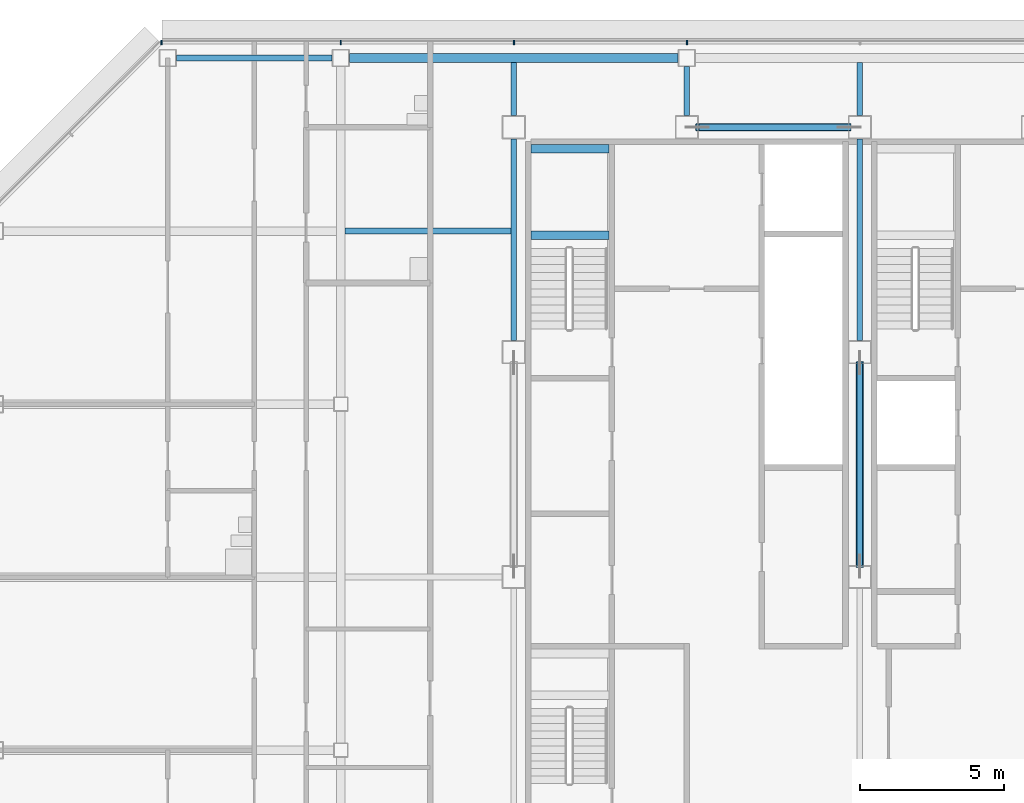
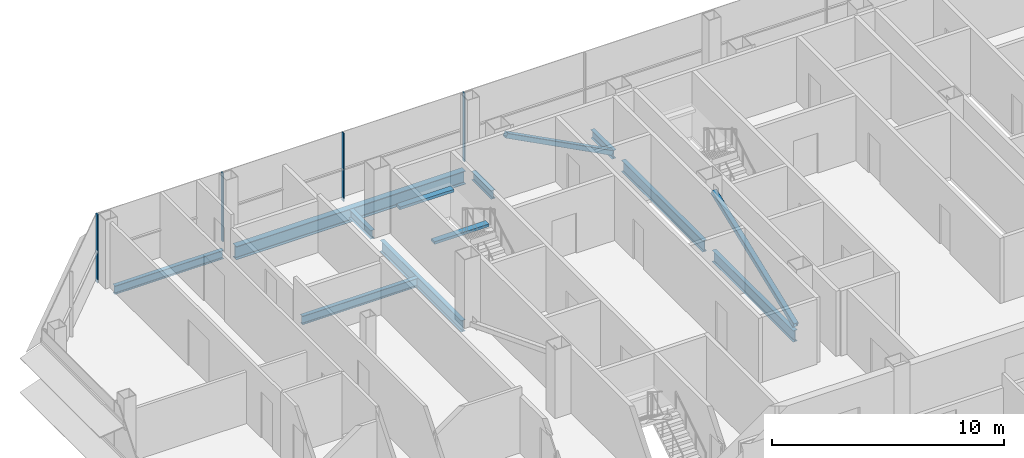
# One storey, part 13 of 28: 11 beams, 6 members, 1 element without a shape of its own.
"""IFC4 building model written with IfcOpenShell, lengths in metres."""

from ifc_helpers import new_model, si_unit, direction, frame, origin, origin_2d, place, context, subcontext, project, spatial, rectangle, hollow_rectangle, i_section, extrude, material, material_profile, profile_set, type_object, element, aggregate, save


model = new_model("IFC4")

# Units and contexts
model_context = context("Model", 3, precision=1e-05, world=origin(), true_north=direction((0.0, 1.0)))
body_context = subcontext(model_context, "Body", "Model", "MODEL_VIEW")
ifc_project = project(units=[si_unit("LENGTHUNIT", "METRE"), si_unit("AREAUNIT", "SQUARE_METRE"), si_unit("VOLUMEUNIT", "CUBIC_METRE"), si_unit("PLANEANGLEUNIT", "RADIAN"), si_unit("MASSUNIT", "GRAM", prefix="KILO")], contexts=[model_context])

# Site, building, storey
site_placement = place(None, origin())
site = spatial("IfcSite", under=ifc_project, at=site_placement, CompositionType="ELEMENT")
building_placement = place(site_placement, origin())
building = spatial("IfcBuilding", under=site, at=building_placement, Name="Sorahane Residences", CompositionType="ELEMENT")
storey_placement = place(building_placement, frame((0.0, 0.0, 273.800048828125)))
storey = spatial("IfcBuildingStorey", under=building, at=storey_placement, Name="L65", CompositionType="ELEMENT", Elevation=273.800048828125)

# Members
ifc_material_1 = material(Name="Steel Q355B", Category="steel")
ifc_material_profile_1 = material_profile(ifc_material_1, hollow_rectangle(XDim=0.25, YDim=0.25, WallThickness=0.013916015625, InnerFilletRadius=0.007080078125, OuterFilletRadius=0.02099609375, at=origin_2d()), Name="RHS 250x250x14")
ifc_profile_set_1 = profile_set([ifc_material_profile_1], Name="Steel Q355B")
member_type_1 = type_object("IfcMemberType", Name="Core brace RHS 250x250x14 Q355B", PredefinedType="BRACE", material=ifc_profile_set_1)
member_1_placement = place(storey_placement, frame((17.634765625, 45.60009765625, 0.106689453125), z_axis=(-0.886099769192, 0.0, 0.46349455125), x_axis=(0.0, -1.0, 0.0)))
element("IfcMember", 1, at=member_1_placement, inside=storey, type_object=member_type_1, Name="Core brace L65 y45.6-2", PredefinedType="BRACE", context=body_context, shape_type="SweptSolid", body=[
    extrude(hollow_rectangle(XDim=0.25, YDim=0.25, WallThickness=0.013916015625, InnerFilletRadius=0.007080078125, OuterFilletRadius=0.02099609375, at=origin_2d()), origin(), (0.0, 0.0, 1.0), 5.94677734375),
])
member_2_placement = place(storey_placement, frame((18.0, 30.372802734375, 0.114501953125), z_axis=(0.0, 0.932112994653, 0.362167592697), x_axis=(-1.0, 0.0, 0.0)))
element("IfcMember", 2, at=member_2_placement, inside=storey, type_object=member_type_1, Name="Core brace L65 x18-1", PredefinedType="BRACE", context=body_context, shape_type="SweptSolid", body=[
    extrude(hollow_rectangle(XDim=0.25, YDim=0.25, WallThickness=0.013916015625, InnerFilletRadius=0.007080078125, OuterFilletRadius=0.02099609375, at=origin_2d()), origin(), (0.0, 0.0, 1.0), 7.568115234375),
])

# Curtain wall, members
ifc_material_2 = material(Name="Dark low-e glass and black anodised aluminium", Category="aluminium")
curtain_wall_type = type_object("IfcCurtainWallType", Name="Curtain wall CW-1 Typical unitised wall", PredefinedType="NOTDEFINED", material=ifc_material_2)
curtain_wall_placement = place(storey_placement, origin())
curtain_wall = element("IfcCurtainWall", 3, at=curtain_wall_placement, inside=storey, type_object=curtain_wall_type, Name="CW-1 curtain wall L65 N1", PredefinedType="NOTDEFINED")
ifc_material_3 = material(Name="Black anodised aluminium", Category="aluminium")
ifc_material_profile_2 = material_profile(ifc_material_3, rectangle(XDim=0.159912109375, YDim=0.050048828125, at=origin_2d()), Name="Curtain wall mullion CW-1 black anodised aluminium 50x160")
ifc_profile_set_2 = profile_set([ifc_material_profile_2], Name="Black anodised aluminium")
member_type_2 = type_object("IfcMemberType", Name="Curtain wall mullion CW-1 black anodised aluminium 50x160", PredefinedType="MULLION", material=ifc_profile_set_2)
member_3_placement = place(storey_placement, frame((12.0, 48.5400390625, -0.179931640625), z_axis=(0.0, 0.0, 1.0), x_axis=(0.0, 1.0, 0.0)))
member_3 = element("IfcMember", 4, at=member_3_placement, type_object=member_type_2, Name="CW-1 mullion L65 N1.7", PredefinedType="MULLION", context=body_context, shape_type="SweptSolid", body=[
    extrude(rectangle(XDim=0.159912109375, YDim=0.050048828125, at=origin_2d()), origin(), (0.0, 0.0, 1.0), 3.599853515625),
])
member_4_placement = place(storey_placement, frame((6.0, 48.5400390625, -0.179931640625), z_axis=(0.0, 0.0, 1.0), x_axis=(0.0, 1.0, 0.0)))
member_4 = element("IfcMember", 5, at=member_4_placement, type_object=member_type_2, Name="CW-1 mullion L65 N1.8", PredefinedType="MULLION", context=body_context, shape_type="SweptSolid", body=[
    extrude(rectangle(XDim=0.159912109375, YDim=0.050048828125, at=origin_2d()), origin(), (0.0, 0.0, 1.0), 3.599853515625),
])
member_5_placement = place(storey_placement, frame((0.0, 48.5400390625, -0.179931640625), z_axis=(0.0, 0.0, 1.0), x_axis=(0.0, 1.0, 0.0)))
member_5 = element("IfcMember", 6, at=member_5_placement, type_object=member_type_2, Name="CW-1 mullion L65 N1.9", PredefinedType="MULLION", context=body_context, shape_type="SweptSolid", body=[
    extrude(rectangle(XDim=0.159912109375, YDim=0.050048828125, at=origin_2d()), origin(), (0.0, 0.0, 1.0), 3.599853515625),
])
member_6_placement = place(storey_placement, frame((-6.2236328125, 48.5400390625, -0.179931640625), z_axis=(0.0, 0.0, 1.0), x_axis=(0.0, 1.0, 0.0)))
member_6 = element("IfcMember", 7, at=member_6_placement, type_object=member_type_2, Name="CW-1 mullion L65 N1.10", PredefinedType="MULLION", context=body_context, shape_type="SweptSolid", body=[
    extrude(rectangle(XDim=0.159912109375, YDim=0.050048828125, at=origin_2d()), origin(), (0.0, 0.0, 1.0), 3.599853515625),
])
aggregate(curtain_wall, [member_3, member_4, member_5, member_6])

# Beams
ifc_material_4 = material(Name="Concrete C40", Category="concrete")
ifc_material_profile_3 = material_profile(ifc_material_4, rectangle(XDim=0.300048828125, YDim=0.139892578125, at=origin_2d()), Name="300x140")
ifc_profile_set_3 = profile_set([ifc_material_profile_3], Name="Concrete C40")
beam_type_1 = type_object("IfcBeamType", Name="RC landing beam 300 x 140 Concrete C40", PredefinedType="BEAM", material=ifc_profile_set_3)
for number, where, z_axis, x_axis, name in (
    (8, (6.60009765625, 41.85009765625, 1.530029296875), (1.0, 0.0, 0.0), (0.0, 1.0, 0.0), "Landing beam"),
    (9, (6.60009765625, 44.85009765625, 1.530029296875), (1.0, 0.0, 0.0), (0.0, 1.0, 0.0), "Landing beam"),
):
    element("IfcBeam", number, at=place(storey_placement, frame(where, z_axis=z_axis, x_axis=x_axis)), inside=storey, type_object=beam_type_1, Name=name, PredefinedType="BEAM", context=body_context, shape_type="SweptSolid", body=[
        extrude(rectangle(XDim=0.300048828125, YDim=0.139892578125, at=origin_2d()), origin(), (0.0, 0.0, 1.0), 2.699951171875),
    ])
ifc_material_5 = material(Name="Steel Q355B", Category="steel")
ifc_material_profile_4 = material_profile(ifc_material_5, i_section(OverallWidth=0.199951171875, OverallDepth=0.449951171875, WebThickness=0.009033203125, FlangeThickness=0.013916015625, FilletRadius=0.02001953125, at=origin_2d()), Name="HN 450x200x9x14")
ifc_profile_set_4 = profile_set([ifc_material_profile_4], Name="Steel Q355B")
beam_type_2 = type_object("IfcBeamType", Name="Steel floor beam HN 450x200x9x14 Q355B", PredefinedType="BEAM", material=ifc_profile_set_4)
beam_1_placement = place(storey_placement, frame((-5.699951171875, 48.0, -0.405029296875), z_axis=(1.0, 0.0, 0.0), x_axis=(0.0, 1.0, 0.0)))
element("IfcBeam", 10, at=beam_1_placement, inside=storey, type_object=beam_type_2, Name="Beam L65 015", PredefinedType="BEAM", context=body_context, shape_type="SweptSolid", body=[
    extrude(i_section(OverallWidth=0.199951171875, OverallDepth=0.449951171875, WebThickness=0.009033203125, FlangeThickness=0.013916015625, FilletRadius=0.02001953125, at=origin_2d()), origin(), (0.0, 0.0, 1.0), 5.39990234375),
])
beam_2_placement = place(storey_placement, frame((6.0, 46.0, -0.405029296875), z_axis=(0.0, 1.0, 0.0), x_axis=(-1.0, 0.0, 0.0)))
element("IfcBeam", 11, at=beam_2_placement, inside=storey, type_object=beam_type_2, Name="Beam L65 033", PredefinedType="BEAM", context=body_context, shape_type="SweptSolid", body=[
    extrude(i_section(OverallWidth=0.199951171875, OverallDepth=0.449951171875, WebThickness=0.009033203125, FlangeThickness=0.013916015625, FilletRadius=0.02001953125, at=origin_2d()), origin(), (0.0, 0.0, 1.0), 1.85009765625),
])
beam_3_placement = place(storey_placement, frame((12.0, 46.0, -0.405029296875), z_axis=(0.0, 1.0, 0.0), x_axis=(-1.0, 0.0, 0.0)))
element("IfcBeam", 12, at=beam_3_placement, inside=storey, type_object=beam_type_2, Name="Beam L65 035", PredefinedType="BEAM", context=body_context, shape_type="SweptSolid", body=[
    extrude(i_section(OverallWidth=0.199951171875, OverallDepth=0.449951171875, WebThickness=0.009033203125, FlangeThickness=0.013916015625, FilletRadius=0.02001953125, at=origin_2d()), origin(), (0.0, 0.0, 1.0), 1.699951171875),
])
beam_4_placement = place(storey_placement, frame((18.0, 46.0, -0.405029296875), z_axis=(0.0, 1.0, 0.0), x_axis=(-1.0, 0.0, 0.0)))
element("IfcBeam", 13, at=beam_4_placement, inside=storey, type_object=beam_type_2, Name="Beam L65 041", PredefinedType="BEAM", context=body_context, shape_type="SweptSolid", body=[
    extrude(i_section(OverallWidth=0.199951171875, OverallDepth=0.449951171875, WebThickness=0.009033203125, FlangeThickness=0.013916015625, FilletRadius=0.02001953125, at=origin_2d()), origin(), (0.0, 0.0, 1.0), 1.85009765625),
])
beam_5_placement = place(storey_placement, frame((0.14990234375, 42.0, -0.405029296875), z_axis=(1.0, 0.0, 0.0), x_axis=(0.0, 1.0, 0.0)))
element("IfcBeam", 14, at=beam_5_placement, inside=storey, type_object=beam_type_2, Name="Beam L65 090", PredefinedType="BEAM", context=body_context, shape_type="SweptSolid", body=[
    extrude(i_section(OverallWidth=0.199951171875, OverallDepth=0.449951171875, WebThickness=0.009033203125, FlangeThickness=0.013916015625, FilletRadius=0.02001953125, at=origin_2d()), origin(), (0.0, 0.0, 1.0), 5.75),
])
ifc_material_6 = material(Name="Steel Q355B", Category="steel")
ifc_material_profile_5 = material_profile(ifc_material_6, i_section(OverallWidth=0.199951171875, OverallDepth=0.60009765625, WebThickness=0.010986328125, FlangeThickness=0.01708984375, FilletRadius=0.02392578125, at=origin_2d()), Name="HN 600x200x11x17")
ifc_profile_set_5 = profile_set([ifc_material_profile_5], Name="Steel Q355B")
beam_type_3 = type_object("IfcBeamType", Name="Steel floor beam HN 600x200x11x17 Q355B", PredefinedType="BEAM", material=ifc_profile_set_5)
for number, where, z_axis, x_axis, name in (
    (15, (6.0, 38.199951171875, -0.47998046875), (0.0, 1.0, 0.0), (-1.0, 0.0, 0.0), "Beam L65 032"),
    (16, (18.0, 30.39990234375, -0.47998046875), (0.0, 1.0, 0.0), (-1.0, 0.0, 0.0), "Beam L65 039"),
    (17, (18.0, 38.199951171875, -0.47998046875), (0.0, 1.0, 0.0), (-1.0, 0.0, 0.0), "Beam L65 040"),
):
    element("IfcBeam", number, at=place(storey_placement, frame(where, z_axis=z_axis, x_axis=x_axis)), inside=storey, type_object=beam_type_3, Name=name, PredefinedType="BEAM", context=body_context, shape_type="SweptSolid", body=[
        extrude(i_section(OverallWidth=0.199951171875, OverallDepth=0.60009765625, WebThickness=0.010986328125, FlangeThickness=0.01708984375, FilletRadius=0.02392578125, at=origin_2d()), origin(), (0.0, 0.0, 1.0), 7.0),
    ])
ifc_material_7 = material(Name="Steel Q355B", Category="steel")
ifc_material_profile_6 = material_profile(ifc_material_7, i_section(OverallWidth=0.300048828125, OverallDepth=0.699951171875, WebThickness=0.012939453125, FlangeThickness=0.02392578125, FilletRadius=0.028076171875, at=origin_2d()), Name="HN 700x300x13x24")
ifc_profile_set_6 = profile_set([ifc_material_profile_6], Name="Steel Q355B")
beam_type_4 = type_object("IfcBeamType", Name="Steel floor beam HN 700x300x13x24 Q355B", PredefinedType="BEAM", material=ifc_profile_set_6)
beam_6_placement = place(storey_placement, frame((0.300048828125, 48.0, -0.530029296875), z_axis=(1.0, 0.0, 0.0), x_axis=(0.0, 1.0, 0.0)))
element("IfcBeam", 18, at=beam_6_placement, inside=storey, type_object=beam_type_4, Name="Beam L65 016", PredefinedType="BEAM", context=body_context, shape_type="SweptSolid", body=[
    extrude(i_section(OverallWidth=0.300048828125, OverallDepth=0.699951171875, WebThickness=0.012939453125, FlangeThickness=0.02392578125, FilletRadius=0.028076171875, at=origin_2d()), origin(), (0.0, 0.0, 1.0), 11.39990234375),
])

save(model, "model.ifc")
